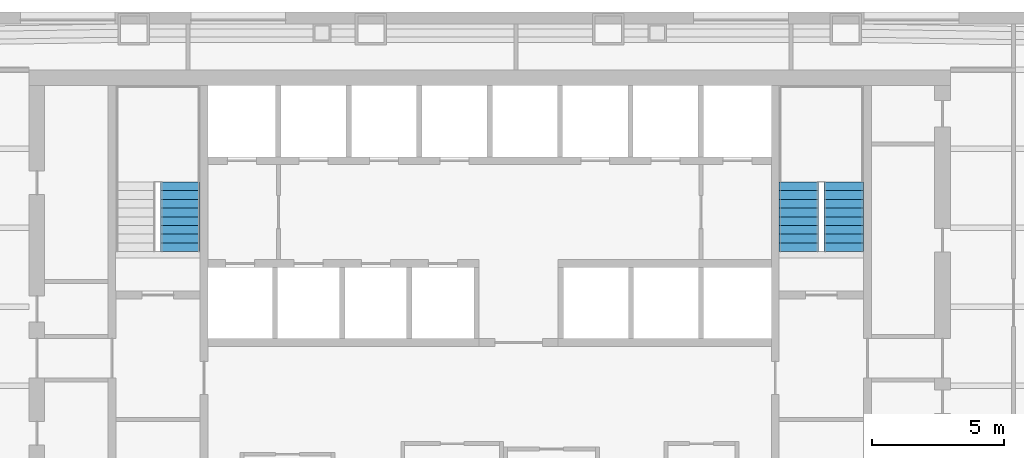
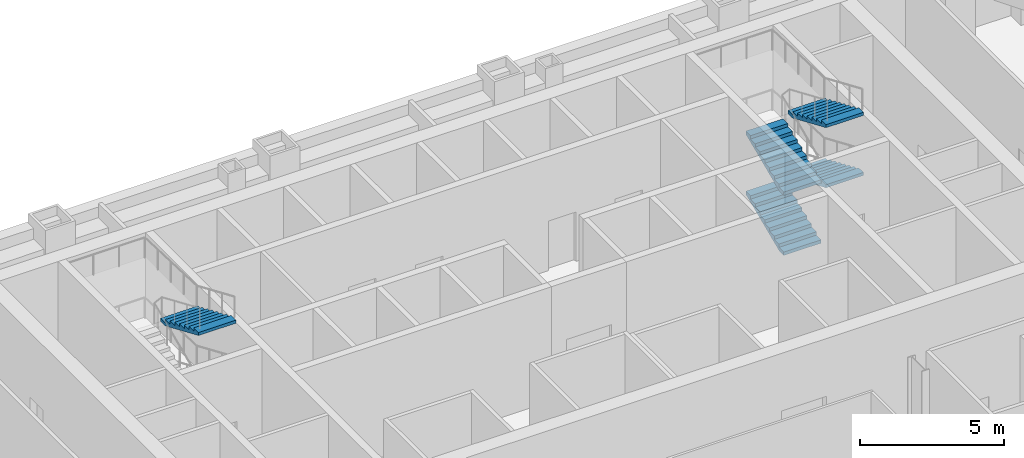
# One storey, part 16 of 17: 5 stair flights, 2 elements without a shape of their own.
"""IFC4 building model written with IfcOpenShell, lengths in metres."""

from ifc_helpers import new_model, si_unit, direction, frame, origin, place, context, subcontext, project, spatial, polygons, material, type_object, element, aggregate, save


model = new_model("IFC4")

# Units and contexts
model_context = context("Model", 3, precision=1e-05, world=origin(), true_north=direction((0.0, 1.0)))
body_context = subcontext(model_context, "Body", "Model", "MODEL_VIEW")
ifc_project = project(units=[si_unit("LENGTHUNIT", "METRE"), si_unit("AREAUNIT", "SQUARE_METRE"), si_unit("VOLUMEUNIT", "CUBIC_METRE"), si_unit("PLANEANGLEUNIT", "RADIAN"), si_unit("MASSUNIT", "GRAM", prefix="KILO")], contexts=[model_context])

# Site, building, storey
site_placement = place(None, origin())
site = spatial("IfcSite", under=ifc_project, at=site_placement, CompositionType="ELEMENT")
building_placement = place(site_placement, origin())
building = spatial("IfcBuilding", under=site, at=building_placement, Name="Njiva Tower", CompositionType="ELEMENT")
storey_placement = place(building_placement, frame((0.0, 0.0, 23.7)))
storey = spatial("IfcBuildingStorey", under=building, at=storey_placement, Name="L04", CompositionType="ELEMENT", Elevation=23.7)

# Stair, stair flight
ifc_material = material(Name="Concrete C40/50", Category="concrete")
stair_type = type_object("IfcStairType", Name="ST4 Exit stair 1500", PredefinedType="HALF_TURN_STAIR", material=ifc_material)
stair_1_placement = place(storey_placement, origin())
stair_1 = element("IfcStair", 1, at=stair_1_placement, inside=storey, type_object=stair_type, Name="Stair A", PredefinedType="DOUBLE_RETURN_STAIR")
stair_flight_type = type_object("IfcStairFlightType", Name="FL4 Stair flight 1500", PredefinedType="STRAIGHT", material=ifc_material)
stair_flight_1_placement = place(storey_placement, frame((-11.75, 13.74, 3.825), z_axis=(0.0, 0.0, 1.0), x_axis=(0.0, -1.0, 0.0)))
stair_flight_1 = element("IfcStairFlight", 2, at=stair_flight_1_placement, type_object=stair_flight_type, Name="ST-A flight 4", NumberOfRisers=9, NumberOfTreads=8, PredefinedType="STRAIGHT", RiserHeight=0.141666667, TreadLength=0.33, context=body_context, shape_type="Tessellation", body=[
    polygons([(0.0, 0.75, 0.0), (0.0, 0.375, 0.0), (0.0, 0.0, 0.0), (0.0, -0.375, 0.0), (0.0, -0.75, 0.0), (0.0, 0.75, 0.1417), (0.0, 0.375, 0.1417), (0.0, 0.0, 0.1417), (0.0, -0.375, 0.1417), (0.0, -0.75, 0.1417), (0.33, 0.75, 0.1417), (0.33, 0.375, 0.1417), (0.33, 0.0, 0.1417), (0.33, -0.375, 0.1417), (0.33, -0.75, 0.1417), (0.33, 0.75, 0.2833), (0.33, 0.375, 0.2833), (0.33, 0.0, 0.2833), (0.33, -0.375, 0.2833), (0.33, -0.75, 0.2833), (0.66, 0.75, 0.2833), (0.66, 0.375, 0.2833), (0.66, 0.0, 0.2833), (0.66, -0.375, 0.2833), (0.66, -0.75, 0.2833), (0.66, 0.75, 0.425), (0.66, 0.375, 0.425), (0.66, 0.0, 0.425), (0.66, -0.375, 0.425), (0.66, -0.75, 0.425), (0.99, 0.75, 0.425), (0.99, 0.375, 0.425), (0.99, 0.0, 0.425), (0.99, -0.375, 0.425), (0.99, -0.75, 0.425), (0.99, 0.75, 0.5667), (0.99, 0.375, 0.5667), (0.99, 0.0, 0.5667), (0.99, -0.375, 0.5667), (0.99, -0.75, 0.5667), (1.32, 0.75, 0.5667), (1.32, 0.375, 0.5667), (1.32, 0.0, 0.5667), (1.32, -0.375, 0.5667), (1.32, -0.75, 0.5667), (1.32, 0.75, 0.7083), (1.32, 0.375, 0.7083), (1.32, 0.0, 0.7083), (1.32, -0.375, 0.7083), (1.32, -0.75, 0.7083), (1.65, 0.75, 0.7083), (1.65, 0.375, 0.7083), (1.65, 0.0, 0.7083), (1.65, -0.375, 0.7083), (1.65, -0.75, 0.7083), (1.65, 0.75, 0.85), (1.65, 0.375, 0.85), (1.65, 0.0, 0.85), (1.65, -0.375, 0.85), (1.65, -0.75, 0.85), (1.98, 0.75, 0.85), (1.98, 0.375, 0.85), (1.98, 0.0, 0.85), (1.98, -0.375, 0.85), (1.98, -0.75, 0.85), (1.98, 0.75, 0.9917), (1.98, 0.375, 0.9917), (1.98, 0.0, 0.9917), (1.98, -0.375, 0.9917), (1.98, -0.75, 0.9917), (2.31, 0.75, 0.9917), (2.31, 0.375, 0.9917), (2.31, 0.0, 0.9917), (2.31, -0.375, 0.9917), (2.31, -0.75, 0.9917), (2.31, 0.75, 1.1333), (2.31, 0.375, 1.1333), (2.31, 0.0, 1.1333), (2.31, -0.375, 1.1333), (2.31, -0.75, 1.1333), (2.64, 0.75, 1.1333), (2.64, 0.375, 1.1333), (2.64, 0.0, 1.1333), (2.64, -0.375, 1.1333), (2.64, -0.75, 1.1333), (2.64, 0.75, 1.0027), (2.64, 0.375, 1.0027), (2.64, 0.0, 1.0027), (2.64, -0.375, 1.0027), (2.64, -0.75, 1.0027), (0.3042, 0.75, 0.0), (0.3042, 0.375, 0.0), (0.3042, 0.0, 0.0), (0.3042, -0.375, 0.0), (0.3042, -0.75, 0.0)], [[[1, 6, 11, 16, 21, 26, 31, 36, 41, 46, 51, 56, 61, 66, 71, 76, 81, 86, 91]], [[95, 90, 85, 80, 75, 70, 65, 60, 55, 50, 45, 40, 35, 30, 25, 20, 15, 10, 5]], [[6, 1, 2, 7]], [[7, 2, 3, 8]], [[8, 3, 4, 9]], [[9, 4, 5, 10]], [[11, 6, 7, 12]], [[12, 7, 8, 13]], [[13, 8, 9, 14]], [[14, 9, 10, 15]], [[16, 11, 12, 17]], [[17, 12, 13, 18]], [[18, 13, 14, 19]], [[19, 14, 15, 20]], [[21, 16, 17, 22]], [[22, 17, 18, 23]], [[23, 18, 19, 24]], [[24, 19, 20, 25]], [[26, 21, 22, 27]], [[27, 22, 23, 28]], [[28, 23, 24, 29]], [[29, 24, 25, 30]], [[31, 26, 27, 32]], [[32, 27, 28, 33]], [[33, 28, 29, 34]], [[34, 29, 30, 35]], [[36, 31, 32, 37]], [[37, 32, 33, 38]], [[38, 33, 34, 39]], [[39, 34, 35, 40]], [[41, 36, 37, 42]], [[42, 37, 38, 43]], [[43, 38, 39, 44]], [[44, 39, 40, 45]], [[46, 41, 42, 47]], [[47, 42, 43, 48]], [[48, 43, 44, 49]], [[49, 44, 45, 50]], [[51, 46, 47, 52]], [[52, 47, 48, 53]], [[53, 48, 49, 54]], [[54, 49, 50, 55]], [[56, 51, 52, 57]], [[57, 52, 53, 58]], [[58, 53, 54, 59]], [[59, 54, 55, 60]], [[61, 56, 57, 62]], [[62, 57, 58, 63]], [[63, 58, 59, 64]], [[64, 59, 60, 65]], [[66, 61, 62, 67]], [[67, 62, 63, 68]], [[68, 63, 64, 69]], [[69, 64, 65, 70]], [[71, 66, 67, 72]], [[72, 67, 68, 73]], [[73, 68, 69, 74]], [[74, 69, 70, 75]], [[76, 71, 72, 77]], [[77, 72, 73, 78]], [[78, 73, 74, 79]], [[79, 74, 75, 80]], [[81, 76, 77, 82]], [[82, 77, 78, 83]], [[83, 78, 79, 84]], [[84, 79, 80, 85]], [[86, 81, 82, 87]], [[87, 82, 83, 88]], [[88, 83, 84, 89]], [[89, 84, 85, 90]], [[91, 86, 87, 92]], [[92, 87, 88, 93]], [[93, 88, 89, 94]], [[94, 89, 90, 95]], [[1, 91, 92, 2]], [[2, 92, 93, 3]], [[3, 93, 94, 4]], [[4, 94, 95, 5]]], closed=True),
])
aggregate(stair_1, [stair_flight_1])

# Stair, stair flights
stair_2_placement = place(storey_placement, origin())
stair_2 = element("IfcStair", 3, at=stair_2_placement, inside=storey, type_object=stair_type, Name="Stair B", PredefinedType="DOUBLE_RETURN_STAIR")
stair_flight_2_placement = place(storey_placement, frame((11.75, 11.1, 0.0), z_axis=(0.0, 0.0, 1.0), x_axis=(0.0, 1.0, 0.0)))
stair_flight_2 = element("IfcStairFlight", 4, at=stair_flight_2_placement, type_object=stair_flight_type, Name="ST-B flight 1", NumberOfRisers=9, NumberOfTreads=8, PredefinedType="STRAIGHT", RiserHeight=0.141666667, TreadLength=0.33, context=body_context, shape_type="Tessellation", body=[
    polygons([(0.0, 0.75, 0.0), (0.0, 0.375, 0.0), (0.0, 0.0, 0.0), (0.0, -0.375, 0.0), (0.0, -0.75, 0.0), (0.0, 0.75, 0.1417), (0.0, 0.375, 0.1417), (0.0, 0.0, 0.1417), (0.0, -0.375, 0.1417), (0.0, -0.75, 0.1417), (0.33, 0.75, 0.1417), (0.33, 0.375, 0.1417), (0.33, 0.0, 0.1417), (0.33, -0.375, 0.1417), (0.33, -0.75, 0.1417), (0.33, 0.75, 0.2833), (0.33, 0.375, 0.2833), (0.33, 0.0, 0.2833), (0.33, -0.375, 0.2833), (0.33, -0.75, 0.2833), (0.66, 0.75, 0.2833), (0.66, 0.375, 0.2833), (0.66, 0.0, 0.2833), (0.66, -0.375, 0.2833), (0.66, -0.75, 0.2833), (0.66, 0.75, 0.425), (0.66, 0.375, 0.425), (0.66, 0.0, 0.425), (0.66, -0.375, 0.425), (0.66, -0.75, 0.425), (0.99, 0.75, 0.425), (0.99, 0.375, 0.425), (0.99, 0.0, 0.425), (0.99, -0.375, 0.425), (0.99, -0.75, 0.425), (0.99, 0.75, 0.5667), (0.99, 0.375, 0.5667), (0.99, 0.0, 0.5667), (0.99, -0.375, 0.5667), (0.99, -0.75, 0.5667), (1.32, 0.75, 0.5667), (1.32, 0.375, 0.5667), (1.32, 0.0, 0.5667), (1.32, -0.375, 0.5667), (1.32, -0.75, 0.5667), (1.32, 0.75, 0.7083), (1.32, 0.375, 0.7083), (1.32, 0.0, 0.7083), (1.32, -0.375, 0.7083), (1.32, -0.75, 0.7083), (1.65, 0.75, 0.7083), (1.65, 0.375, 0.7083), (1.65, 0.0, 0.7083), (1.65, -0.375, 0.7083), (1.65, -0.75, 0.7083), (1.65, 0.75, 0.85), (1.65, 0.375, 0.85), (1.65, 0.0, 0.85), (1.65, -0.375, 0.85), (1.65, -0.75, 0.85), (1.98, 0.75, 0.85), (1.98, 0.375, 0.85), (1.98, 0.0, 0.85), (1.98, -0.375, 0.85), (1.98, -0.75, 0.85), (1.98, 0.75, 0.9917), (1.98, 0.375, 0.9917), (1.98, 0.0, 0.9917), (1.98, -0.375, 0.9917), (1.98, -0.75, 0.9917), (2.31, 0.75, 0.9917), (2.31, 0.375, 0.9917), (2.31, 0.0, 0.9917), (2.31, -0.375, 0.9917), (2.31, -0.75, 0.9917), (2.31, 0.75, 1.1333), (2.31, 0.375, 1.1333), (2.31, 0.0, 1.1333), (2.31, -0.375, 1.1333), (2.31, -0.75, 1.1333), (2.64, 0.75, 1.1333), (2.64, 0.375, 1.1333), (2.64, 0.0, 1.1333), (2.64, -0.375, 1.1333), (2.64, -0.75, 1.1333), (2.64, 0.75, 1.0027), (2.64, 0.375, 1.0027), (2.64, 0.0, 1.0027), (2.64, -0.375, 1.0027), (2.64, -0.75, 1.0027), (0.3042, 0.75, 0.0), (0.3042, 0.375, 0.0), (0.3042, 0.0, 0.0), (0.3042, -0.375, 0.0), (0.3042, -0.75, 0.0)], [[[1, 6, 11, 16, 21, 26, 31, 36, 41, 46, 51, 56, 61, 66, 71, 76, 81, 86, 91]], [[95, 90, 85, 80, 75, 70, 65, 60, 55, 50, 45, 40, 35, 30, 25, 20, 15, 10, 5]], [[6, 1, 2, 7]], [[7, 2, 3, 8]], [[8, 3, 4, 9]], [[9, 4, 5, 10]], [[11, 6, 7, 12]], [[12, 7, 8, 13]], [[13, 8, 9, 14]], [[14, 9, 10, 15]], [[16, 11, 12, 17]], [[17, 12, 13, 18]], [[18, 13, 14, 19]], [[19, 14, 15, 20]], [[21, 16, 17, 22]], [[22, 17, 18, 23]], [[23, 18, 19, 24]], [[24, 19, 20, 25]], [[26, 21, 22, 27]], [[27, 22, 23, 28]], [[28, 23, 24, 29]], [[29, 24, 25, 30]], [[31, 26, 27, 32]], [[32, 27, 28, 33]], [[33, 28, 29, 34]], [[34, 29, 30, 35]], [[36, 31, 32, 37]], [[37, 32, 33, 38]], [[38, 33, 34, 39]], [[39, 34, 35, 40]], [[41, 36, 37, 42]], [[42, 37, 38, 43]], [[43, 38, 39, 44]], [[44, 39, 40, 45]], [[46, 41, 42, 47]], [[47, 42, 43, 48]], [[48, 43, 44, 49]], [[49, 44, 45, 50]], [[51, 46, 47, 52]], [[52, 47, 48, 53]], [[53, 48, 49, 54]], [[54, 49, 50, 55]], [[56, 51, 52, 57]], [[57, 52, 53, 58]], [[58, 53, 54, 59]], [[59, 54, 55, 60]], [[61, 56, 57, 62]], [[62, 57, 58, 63]], [[63, 58, 59, 64]], [[64, 59, 60, 65]], [[66, 61, 62, 67]], [[67, 62, 63, 68]], [[68, 63, 64, 69]], [[69, 64, 65, 70]], [[71, 66, 67, 72]], [[72, 67, 68, 73]], [[73, 68, 69, 74]], [[74, 69, 70, 75]], [[76, 71, 72, 77]], [[77, 72, 73, 78]], [[78, 73, 74, 79]], [[79, 74, 75, 80]], [[81, 76, 77, 82]], [[82, 77, 78, 83]], [[83, 78, 79, 84]], [[84, 79, 80, 85]], [[86, 81, 82, 87]], [[87, 82, 83, 88]], [[88, 83, 84, 89]], [[89, 84, 85, 90]], [[91, 86, 87, 92]], [[92, 87, 88, 93]], [[93, 88, 89, 94]], [[94, 89, 90, 95]], [[1, 91, 92, 2]], [[2, 92, 93, 3]], [[3, 93, 94, 4]], [[4, 94, 95, 5]]], closed=True),
])
stair_flight_3_placement = place(storey_placement, frame((13.45, 13.74, 1.275), z_axis=(0.0, 0.0, 1.0), x_axis=(0.0, -1.0, 0.0)))
stair_flight_3 = element("IfcStairFlight", 5, at=stair_flight_3_placement, type_object=stair_flight_type, Name="ST-B flight 2", NumberOfRisers=9, NumberOfTreads=8, PredefinedType="STRAIGHT", RiserHeight=0.141666667, TreadLength=0.33, context=body_context, shape_type="Tessellation", body=[
    polygons([(0.0, 0.75, 0.0), (0.0, 0.375, 0.0), (0.0, 0.0, 0.0), (0.0, -0.375, 0.0), (0.0, -0.75, 0.0), (0.0, 0.75, 0.1417), (0.0, 0.375, 0.1417), (0.0, 0.0, 0.1417), (0.0, -0.375, 0.1417), (0.0, -0.75, 0.1417), (0.33, 0.75, 0.1417), (0.33, 0.375, 0.1417), (0.33, 0.0, 0.1417), (0.33, -0.375, 0.1417), (0.33, -0.75, 0.1417), (0.33, 0.75, 0.2833), (0.33, 0.375, 0.2833), (0.33, 0.0, 0.2833), (0.33, -0.375, 0.2833), (0.33, -0.75, 0.2833), (0.66, 0.75, 0.2833), (0.66, 0.375, 0.2833), (0.66, 0.0, 0.2833), (0.66, -0.375, 0.2833), (0.66, -0.75, 0.2833), (0.66, 0.75, 0.425), (0.66, 0.375, 0.425), (0.66, 0.0, 0.425), (0.66, -0.375, 0.425), (0.66, -0.75, 0.425), (0.99, 0.75, 0.425), (0.99, 0.375, 0.425), (0.99, 0.0, 0.425), (0.99, -0.375, 0.425), (0.99, -0.75, 0.425), (0.99, 0.75, 0.5667), (0.99, 0.375, 0.5667), (0.99, 0.0, 0.5667), (0.99, -0.375, 0.5667), (0.99, -0.75, 0.5667), (1.32, 0.75, 0.5667), (1.32, 0.375, 0.5667), (1.32, 0.0, 0.5667), (1.32, -0.375, 0.5667), (1.32, -0.75, 0.5667), (1.32, 0.75, 0.7083), (1.32, 0.375, 0.7083), (1.32, 0.0, 0.7083), (1.32, -0.375, 0.7083), (1.32, -0.75, 0.7083), (1.65, 0.75, 0.7083), (1.65, 0.375, 0.7083), (1.65, 0.0, 0.7083), (1.65, -0.375, 0.7083), (1.65, -0.75, 0.7083), (1.65, 0.75, 0.85), (1.65, 0.375, 0.85), (1.65, 0.0, 0.85), (1.65, -0.375, 0.85), (1.65, -0.75, 0.85), (1.98, 0.75, 0.85), (1.98, 0.375, 0.85), (1.98, 0.0, 0.85), (1.98, -0.375, 0.85), (1.98, -0.75, 0.85), (1.98, 0.75, 0.9917), (1.98, 0.375, 0.9917), (1.98, 0.0, 0.9917), (1.98, -0.375, 0.9917), (1.98, -0.75, 0.9917), (2.31, 0.75, 0.9917), (2.31, 0.375, 0.9917), (2.31, 0.0, 0.9917), (2.31, -0.375, 0.9917), (2.31, -0.75, 0.9917), (2.31, 0.75, 1.1333), (2.31, 0.375, 1.1333), (2.31, 0.0, 1.1333), (2.31, -0.375, 1.1333), (2.31, -0.75, 1.1333), (2.64, 0.75, 1.1333), (2.64, 0.375, 1.1333), (2.64, 0.0, 1.1333), (2.64, -0.375, 1.1333), (2.64, -0.75, 1.1333), (2.64, 0.75, 1.0027), (2.64, 0.375, 1.0027), (2.64, 0.0, 1.0027), (2.64, -0.375, 1.0027), (2.64, -0.75, 1.0027), (0.3042, 0.75, 0.0), (0.3042, 0.375, 0.0), (0.3042, 0.0, 0.0), (0.3042, -0.375, 0.0), (0.3042, -0.75, 0.0)], [[[1, 6, 11, 16, 21, 26, 31, 36, 41, 46, 51, 56, 61, 66, 71, 76, 81, 86, 91]], [[95, 90, 85, 80, 75, 70, 65, 60, 55, 50, 45, 40, 35, 30, 25, 20, 15, 10, 5]], [[6, 1, 2, 7]], [[7, 2, 3, 8]], [[8, 3, 4, 9]], [[9, 4, 5, 10]], [[11, 6, 7, 12]], [[12, 7, 8, 13]], [[13, 8, 9, 14]], [[14, 9, 10, 15]], [[16, 11, 12, 17]], [[17, 12, 13, 18]], [[18, 13, 14, 19]], [[19, 14, 15, 20]], [[21, 16, 17, 22]], [[22, 17, 18, 23]], [[23, 18, 19, 24]], [[24, 19, 20, 25]], [[26, 21, 22, 27]], [[27, 22, 23, 28]], [[28, 23, 24, 29]], [[29, 24, 25, 30]], [[31, 26, 27, 32]], [[32, 27, 28, 33]], [[33, 28, 29, 34]], [[34, 29, 30, 35]], [[36, 31, 32, 37]], [[37, 32, 33, 38]], [[38, 33, 34, 39]], [[39, 34, 35, 40]], [[41, 36, 37, 42]], [[42, 37, 38, 43]], [[43, 38, 39, 44]], [[44, 39, 40, 45]], [[46, 41, 42, 47]], [[47, 42, 43, 48]], [[48, 43, 44, 49]], [[49, 44, 45, 50]], [[51, 46, 47, 52]], [[52, 47, 48, 53]], [[53, 48, 49, 54]], [[54, 49, 50, 55]], [[56, 51, 52, 57]], [[57, 52, 53, 58]], [[58, 53, 54, 59]], [[59, 54, 55, 60]], [[61, 56, 57, 62]], [[62, 57, 58, 63]], [[63, 58, 59, 64]], [[64, 59, 60, 65]], [[66, 61, 62, 67]], [[67, 62, 63, 68]], [[68, 63, 64, 69]], [[69, 64, 65, 70]], [[71, 66, 67, 72]], [[72, 67, 68, 73]], [[73, 68, 69, 74]], [[74, 69, 70, 75]], [[76, 71, 72, 77]], [[77, 72, 73, 78]], [[78, 73, 74, 79]], [[79, 74, 75, 80]], [[81, 76, 77, 82]], [[82, 77, 78, 83]], [[83, 78, 79, 84]], [[84, 79, 80, 85]], [[86, 81, 82, 87]], [[87, 82, 83, 88]], [[88, 83, 84, 89]], [[89, 84, 85, 90]], [[91, 86, 87, 92]], [[92, 87, 88, 93]], [[93, 88, 89, 94]], [[94, 89, 90, 95]], [[1, 91, 92, 2]], [[2, 92, 93, 3]], [[3, 93, 94, 4]], [[4, 94, 95, 5]]], closed=True),
])
stair_flight_4_placement = place(storey_placement, frame((11.75, 11.1, 2.55), z_axis=(0.0, 0.0, 1.0), x_axis=(0.0, 1.0, 0.0)))
stair_flight_4 = element("IfcStairFlight", 6, at=stair_flight_4_placement, type_object=stair_flight_type, Name="ST-B flight 3", NumberOfRisers=9, NumberOfTreads=8, PredefinedType="STRAIGHT", RiserHeight=0.141666667, TreadLength=0.33, context=body_context, shape_type="Tessellation", body=[
    polygons([(0.0, 0.75, 0.0), (0.0, 0.375, 0.0), (0.0, 0.0, 0.0), (0.0, -0.375, 0.0), (0.0, -0.75, 0.0), (0.0, 0.75, 0.1417), (0.0, 0.375, 0.1417), (0.0, 0.0, 0.1417), (0.0, -0.375, 0.1417), (0.0, -0.75, 0.1417), (0.33, 0.75, 0.1417), (0.33, 0.375, 0.1417), (0.33, 0.0, 0.1417), (0.33, -0.375, 0.1417), (0.33, -0.75, 0.1417), (0.33, 0.75, 0.2833), (0.33, 0.375, 0.2833), (0.33, 0.0, 0.2833), (0.33, -0.375, 0.2833), (0.33, -0.75, 0.2833), (0.66, 0.75, 0.2833), (0.66, 0.375, 0.2833), (0.66, 0.0, 0.2833), (0.66, -0.375, 0.2833), (0.66, -0.75, 0.2833), (0.66, 0.75, 0.425), (0.66, 0.375, 0.425), (0.66, 0.0, 0.425), (0.66, -0.375, 0.425), (0.66, -0.75, 0.425), (0.99, 0.75, 0.425), (0.99, 0.375, 0.425), (0.99, 0.0, 0.425), (0.99, -0.375, 0.425), (0.99, -0.75, 0.425), (0.99, 0.75, 0.5667), (0.99, 0.375, 0.5667), (0.99, 0.0, 0.5667), (0.99, -0.375, 0.5667), (0.99, -0.75, 0.5667), (1.32, 0.75, 0.5667), (1.32, 0.375, 0.5667), (1.32, 0.0, 0.5667), (1.32, -0.375, 0.5667), (1.32, -0.75, 0.5667), (1.32, 0.75, 0.7083), (1.32, 0.375, 0.7083), (1.32, 0.0, 0.7083), (1.32, -0.375, 0.7083), (1.32, -0.75, 0.7083), (1.65, 0.75, 0.7083), (1.65, 0.375, 0.7083), (1.65, 0.0, 0.7083), (1.65, -0.375, 0.7083), (1.65, -0.75, 0.7083), (1.65, 0.75, 0.85), (1.65, 0.375, 0.85), (1.65, 0.0, 0.85), (1.65, -0.375, 0.85), (1.65, -0.75, 0.85), (1.98, 0.75, 0.85), (1.98, 0.375, 0.85), (1.98, 0.0, 0.85), (1.98, -0.375, 0.85), (1.98, -0.75, 0.85), (1.98, 0.75, 0.9917), (1.98, 0.375, 0.9917), (1.98, 0.0, 0.9917), (1.98, -0.375, 0.9917), (1.98, -0.75, 0.9917), (2.31, 0.75, 0.9917), (2.31, 0.375, 0.9917), (2.31, 0.0, 0.9917), (2.31, -0.375, 0.9917), (2.31, -0.75, 0.9917), (2.31, 0.75, 1.1333), (2.31, 0.375, 1.1333), (2.31, 0.0, 1.1333), (2.31, -0.375, 1.1333), (2.31, -0.75, 1.1333), (2.64, 0.75, 1.1333), (2.64, 0.375, 1.1333), (2.64, 0.0, 1.1333), (2.64, -0.375, 1.1333), (2.64, -0.75, 1.1333), (2.64, 0.75, 1.0027), (2.64, 0.375, 1.0027), (2.64, 0.0, 1.0027), (2.64, -0.375, 1.0027), (2.64, -0.75, 1.0027), (0.3042, 0.75, 0.0), (0.3042, 0.375, 0.0), (0.3042, 0.0, 0.0), (0.3042, -0.375, 0.0), (0.3042, -0.75, 0.0)], [[[1, 6, 11, 16, 21, 26, 31, 36, 41, 46, 51, 56, 61, 66, 71, 76, 81, 86, 91]], [[95, 90, 85, 80, 75, 70, 65, 60, 55, 50, 45, 40, 35, 30, 25, 20, 15, 10, 5]], [[6, 1, 2, 7]], [[7, 2, 3, 8]], [[8, 3, 4, 9]], [[9, 4, 5, 10]], [[11, 6, 7, 12]], [[12, 7, 8, 13]], [[13, 8, 9, 14]], [[14, 9, 10, 15]], [[16, 11, 12, 17]], [[17, 12, 13, 18]], [[18, 13, 14, 19]], [[19, 14, 15, 20]], [[21, 16, 17, 22]], [[22, 17, 18, 23]], [[23, 18, 19, 24]], [[24, 19, 20, 25]], [[26, 21, 22, 27]], [[27, 22, 23, 28]], [[28, 23, 24, 29]], [[29, 24, 25, 30]], [[31, 26, 27, 32]], [[32, 27, 28, 33]], [[33, 28, 29, 34]], [[34, 29, 30, 35]], [[36, 31, 32, 37]], [[37, 32, 33, 38]], [[38, 33, 34, 39]], [[39, 34, 35, 40]], [[41, 36, 37, 42]], [[42, 37, 38, 43]], [[43, 38, 39, 44]], [[44, 39, 40, 45]], [[46, 41, 42, 47]], [[47, 42, 43, 48]], [[48, 43, 44, 49]], [[49, 44, 45, 50]], [[51, 46, 47, 52]], [[52, 47, 48, 53]], [[53, 48, 49, 54]], [[54, 49, 50, 55]], [[56, 51, 52, 57]], [[57, 52, 53, 58]], [[58, 53, 54, 59]], [[59, 54, 55, 60]], [[61, 56, 57, 62]], [[62, 57, 58, 63]], [[63, 58, 59, 64]], [[64, 59, 60, 65]], [[66, 61, 62, 67]], [[67, 62, 63, 68]], [[68, 63, 64, 69]], [[69, 64, 65, 70]], [[71, 66, 67, 72]], [[72, 67, 68, 73]], [[73, 68, 69, 74]], [[74, 69, 70, 75]], [[76, 71, 72, 77]], [[77, 72, 73, 78]], [[78, 73, 74, 79]], [[79, 74, 75, 80]], [[81, 76, 77, 82]], [[82, 77, 78, 83]], [[83, 78, 79, 84]], [[84, 79, 80, 85]], [[86, 81, 82, 87]], [[87, 82, 83, 88]], [[88, 83, 84, 89]], [[89, 84, 85, 90]], [[91, 86, 87, 92]], [[92, 87, 88, 93]], [[93, 88, 89, 94]], [[94, 89, 90, 95]], [[1, 91, 92, 2]], [[2, 92, 93, 3]], [[3, 93, 94, 4]], [[4, 94, 95, 5]]], closed=True),
])
stair_flight_5_placement = place(storey_placement, frame((13.45, 13.74, 3.825), z_axis=(0.0, 0.0, 1.0), x_axis=(0.0, -1.0, 0.0)))
stair_flight_5 = element("IfcStairFlight", 7, at=stair_flight_5_placement, type_object=stair_flight_type, Name="ST-B flight 4", NumberOfRisers=9, NumberOfTreads=8, PredefinedType="STRAIGHT", RiserHeight=0.141666667, TreadLength=0.33, context=body_context, shape_type="Tessellation", body=[
    polygons([(0.0, 0.75, 0.0), (0.0, 0.375, 0.0), (0.0, 0.0, 0.0), (0.0, -0.375, 0.0), (0.0, -0.75, 0.0), (0.0, 0.75, 0.1417), (0.0, 0.375, 0.1417), (0.0, 0.0, 0.1417), (0.0, -0.375, 0.1417), (0.0, -0.75, 0.1417), (0.33, 0.75, 0.1417), (0.33, 0.375, 0.1417), (0.33, 0.0, 0.1417), (0.33, -0.375, 0.1417), (0.33, -0.75, 0.1417), (0.33, 0.75, 0.2833), (0.33, 0.375, 0.2833), (0.33, 0.0, 0.2833), (0.33, -0.375, 0.2833), (0.33, -0.75, 0.2833), (0.66, 0.75, 0.2833), (0.66, 0.375, 0.2833), (0.66, 0.0, 0.2833), (0.66, -0.375, 0.2833), (0.66, -0.75, 0.2833), (0.66, 0.75, 0.425), (0.66, 0.375, 0.425), (0.66, 0.0, 0.425), (0.66, -0.375, 0.425), (0.66, -0.75, 0.425), (0.99, 0.75, 0.425), (0.99, 0.375, 0.425), (0.99, 0.0, 0.425), (0.99, -0.375, 0.425), (0.99, -0.75, 0.425), (0.99, 0.75, 0.5667), (0.99, 0.375, 0.5667), (0.99, 0.0, 0.5667), (0.99, -0.375, 0.5667), (0.99, -0.75, 0.5667), (1.32, 0.75, 0.5667), (1.32, 0.375, 0.5667), (1.32, 0.0, 0.5667), (1.32, -0.375, 0.5667), (1.32, -0.75, 0.5667), (1.32, 0.75, 0.7083), (1.32, 0.375, 0.7083), (1.32, 0.0, 0.7083), (1.32, -0.375, 0.7083), (1.32, -0.75, 0.7083), (1.65, 0.75, 0.7083), (1.65, 0.375, 0.7083), (1.65, 0.0, 0.7083), (1.65, -0.375, 0.7083), (1.65, -0.75, 0.7083), (1.65, 0.75, 0.85), (1.65, 0.375, 0.85), (1.65, 0.0, 0.85), (1.65, -0.375, 0.85), (1.65, -0.75, 0.85), (1.98, 0.75, 0.85), (1.98, 0.375, 0.85), (1.98, 0.0, 0.85), (1.98, -0.375, 0.85), (1.98, -0.75, 0.85), (1.98, 0.75, 0.9917), (1.98, 0.375, 0.9917), (1.98, 0.0, 0.9917), (1.98, -0.375, 0.9917), (1.98, -0.75, 0.9917), (2.31, 0.75, 0.9917), (2.31, 0.375, 0.9917), (2.31, 0.0, 0.9917), (2.31, -0.375, 0.9917), (2.31, -0.75, 0.9917), (2.31, 0.75, 1.1333), (2.31, 0.375, 1.1333), (2.31, 0.0, 1.1333), (2.31, -0.375, 1.1333), (2.31, -0.75, 1.1333), (2.64, 0.75, 1.1333), (2.64, 0.375, 1.1333), (2.64, 0.0, 1.1333), (2.64, -0.375, 1.1333), (2.64, -0.75, 1.1333), (2.64, 0.75, 1.0027), (2.64, 0.375, 1.0027), (2.64, 0.0, 1.0027), (2.64, -0.375, 1.0027), (2.64, -0.75, 1.0027), (0.3042, 0.75, 0.0), (0.3042, 0.375, 0.0), (0.3042, 0.0, 0.0), (0.3042, -0.375, 0.0), (0.3042, -0.75, 0.0)], [[[1, 6, 11, 16, 21, 26, 31, 36, 41, 46, 51, 56, 61, 66, 71, 76, 81, 86, 91]], [[95, 90, 85, 80, 75, 70, 65, 60, 55, 50, 45, 40, 35, 30, 25, 20, 15, 10, 5]], [[6, 1, 2, 7]], [[7, 2, 3, 8]], [[8, 3, 4, 9]], [[9, 4, 5, 10]], [[11, 6, 7, 12]], [[12, 7, 8, 13]], [[13, 8, 9, 14]], [[14, 9, 10, 15]], [[16, 11, 12, 17]], [[17, 12, 13, 18]], [[18, 13, 14, 19]], [[19, 14, 15, 20]], [[21, 16, 17, 22]], [[22, 17, 18, 23]], [[23, 18, 19, 24]], [[24, 19, 20, 25]], [[26, 21, 22, 27]], [[27, 22, 23, 28]], [[28, 23, 24, 29]], [[29, 24, 25, 30]], [[31, 26, 27, 32]], [[32, 27, 28, 33]], [[33, 28, 29, 34]], [[34, 29, 30, 35]], [[36, 31, 32, 37]], [[37, 32, 33, 38]], [[38, 33, 34, 39]], [[39, 34, 35, 40]], [[41, 36, 37, 42]], [[42, 37, 38, 43]], [[43, 38, 39, 44]], [[44, 39, 40, 45]], [[46, 41, 42, 47]], [[47, 42, 43, 48]], [[48, 43, 44, 49]], [[49, 44, 45, 50]], [[51, 46, 47, 52]], [[52, 47, 48, 53]], [[53, 48, 49, 54]], [[54, 49, 50, 55]], [[56, 51, 52, 57]], [[57, 52, 53, 58]], [[58, 53, 54, 59]], [[59, 54, 55, 60]], [[61, 56, 57, 62]], [[62, 57, 58, 63]], [[63, 58, 59, 64]], [[64, 59, 60, 65]], [[66, 61, 62, 67]], [[67, 62, 63, 68]], [[68, 63, 64, 69]], [[69, 64, 65, 70]], [[71, 66, 67, 72]], [[72, 67, 68, 73]], [[73, 68, 69, 74]], [[74, 69, 70, 75]], [[76, 71, 72, 77]], [[77, 72, 73, 78]], [[78, 73, 74, 79]], [[79, 74, 75, 80]], [[81, 76, 77, 82]], [[82, 77, 78, 83]], [[83, 78, 79, 84]], [[84, 79, 80, 85]], [[86, 81, 82, 87]], [[87, 82, 83, 88]], [[88, 83, 84, 89]], [[89, 84, 85, 90]], [[91, 86, 87, 92]], [[92, 87, 88, 93]], [[93, 88, 89, 94]], [[94, 89, 90, 95]], [[1, 91, 92, 2]], [[2, 92, 93, 3]], [[3, 93, 94, 4]], [[4, 94, 95, 5]]], closed=True),
])
aggregate(stair_2, [stair_flight_2, stair_flight_3, stair_flight_4, stair_flight_5])

save(model, "model.ifc")
